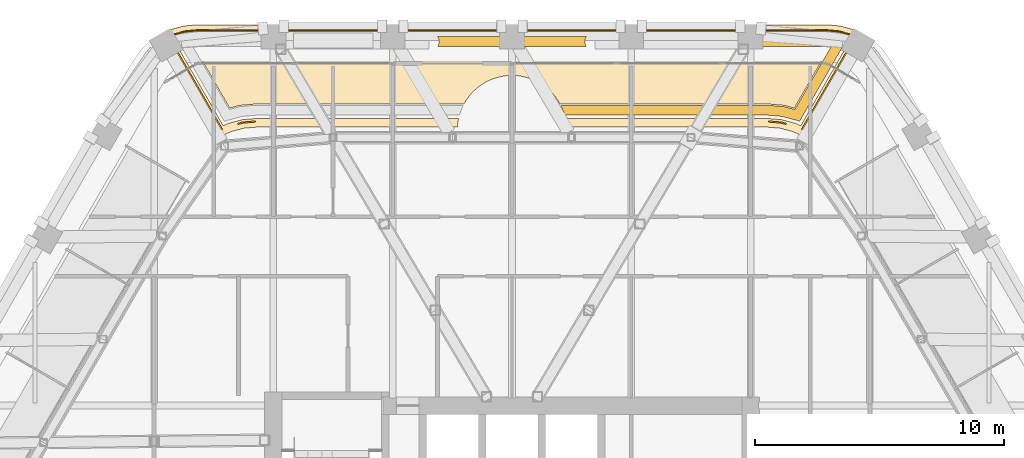
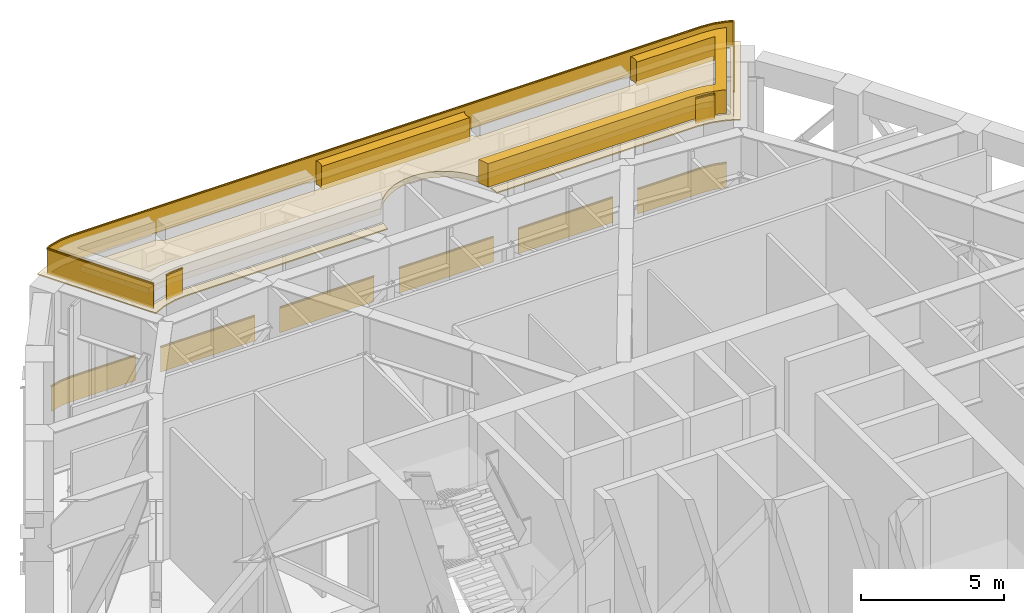
# One storey, part 24 of 24: 4 coverings, 2 railings.
"""IFC4 building model written with IfcOpenShell, lengths in metres."""

from ifc_helpers import new_model, si_unit, direction, frame, frame_2d, origin, origin_2d, place, context, subcontext, project, spatial, polyline, rectangle, outline, extrude, material, layer, layer_set, type_object, element, save


model = new_model("IFC4")

# Units and contexts
model_context = context("Model", 3, precision=1e-05, world=origin(), true_north=direction((0.0, 1.0)))
body_context = subcontext(model_context, "Body", "Model", "MODEL_VIEW")
ifc_project = project(units=[si_unit("LENGTHUNIT", "METRE"), si_unit("AREAUNIT", "SQUARE_METRE"), si_unit("VOLUMEUNIT", "CUBIC_METRE"), si_unit("PLANEANGLEUNIT", "RADIAN"), si_unit("MASSUNIT", "GRAM", prefix="KILO")], contexts=[model_context])

# Site, building, storey
site_placement = place(None, origin())
site = spatial("IfcSite", under=ifc_project, at=site_placement, CompositionType="ELEMENT")
building_placement = place(site_placement, origin())
building = spatial("IfcBuilding", under=site, at=building_placement, Name="Kolab Exchange Tower", CompositionType="ELEMENT")
storey_placement = place(building_placement, frame((0.0, 0.0, 216.800048828125)))
storey = spatial("IfcBuildingStorey", under=building, at=storey_placement, Name="L47", CompositionType="ELEMENT", Elevation=216.800048828125)

# Railings
ifc_material_1 = material(Name="Steel S235", Category="steel")
railing_type = type_object("IfcRailingType", Name="GUARD 1100 GLASS BALUSTRADE AND STEEL TOP RAIL", PredefinedType="GUARDRAIL", material=ifc_material_1)
railing_1_placement = place(storey_placement, frame((13.588623046875, 24.531005859375, 0.0)))
element("IfcRailing", 1, at=railing_1_placement, inside=storey, type_object=railing_type, Name="Guard", PredefinedType="GUARDRAIL", context=body_context, shape_type="SweptSolid", body=[
    extrude(rectangle(XDim=0.05, YDim=0.05, at=origin_2d()), frame((0.0, 0.0, 1.0751953125), z_axis=(-0.965969425465, 0.25865627591, 0.0), x_axis=(-0.25865627591, -0.965969425465, 0.0)), (0.0, 0.0, 1.0), 0.458740234375),
    extrude(rectangle(XDim=0.012, YDim=1.05009765625, at=frame_2d((0.0, 0.525146484375))), frame((0.0, 0.0, 0.0), z_axis=(-0.965969425465, 0.25865627591, 0.0), x_axis=(-0.25865627591, -0.965969425465, 0.0)), (0.0, 0.0, 1.0), 0.458740234375),
    extrude(rectangle(XDim=0.05, YDim=0.05, at=origin_2d()), frame((-0.443115234375, 0.11865234375, 1.0751953125), z_axis=(-0.996156034798, 0.087596542937, 0.0), x_axis=(-0.087596542937, -0.996156034798, 0.0)), (0.0, 0.0, 1.0), 0.4794921875),
    extrude(rectangle(XDim=0.012, YDim=1.05009765625, at=frame_2d((0.0, 0.525146484375))), frame((-0.443115234375, 0.11865234375, 0.0), z_axis=(-0.996156034798, 0.087596542937, 0.0), x_axis=(-0.087596542937, -0.996156034798, 0.0)), (0.0, 0.0, 1.0), 0.4794921875),
    extrude(rectangle(XDim=0.05, YDim=0.05, at=origin_2d()), frame((-0.920654296875, 0.16064453125, 1.0751953125), z_axis=(-1.0, 0.0, 0.0), x_axis=(0.0, -1.0, 0.0)), (0.0, 0.0, 1.0), 2.56787109375),
    extrude(rectangle(XDim=0.012, YDim=1.05009765625, at=frame_2d((0.0, 0.525146484375))), frame((-0.920654296875, 0.16064453125, 0.0), z_axis=(-1.0, 0.0, 0.0), x_axis=(0.0, -1.0, 0.0)), (0.0, 0.0, 1.0), 2.56787109375),
    extrude(rectangle(XDim=0.05, YDim=0.05, at=origin_2d()), frame((-4.488525390625, 0.16064453125, 1.0751953125), z_axis=(-1.0, 0.0, 0.0), x_axis=(0.0, -1.0, 0.0)), (0.0, 0.0, 1.0), 3.800048828125),
    extrude(rectangle(XDim=0.012, YDim=1.05009765625, at=frame_2d((0.0, 0.525146484375))), frame((-4.488525390625, 0.16064453125, 0.0), z_axis=(-1.0, 0.0, 0.0), x_axis=(0.0, -1.0, 0.0)), (0.0, 0.0, 1.0), 3.800048828125),
    extrude(rectangle(XDim=0.05, YDim=0.05, at=origin_2d()), frame((-9.28857421875, 0.16064453125, 1.0751953125), z_axis=(-1.0, 0.0, 0.0), x_axis=(0.0, -1.0, 0.0)), (0.0, 0.0, 1.0), 3.800048828125),
    extrude(rectangle(XDim=0.012, YDim=1.05009765625, at=frame_2d((0.0, 0.525146484375))), frame((-9.28857421875, 0.16064453125, 0.0), z_axis=(-1.0, 0.0, 0.0), x_axis=(0.0, -1.0, 0.0)), (0.0, 0.0, 1.0), 3.800048828125),
    extrude(rectangle(XDim=0.05, YDim=0.05, at=origin_2d()), frame((-14.088623046875, 0.16064453125, 1.0751953125), z_axis=(-1.0, 0.0, 0.0), x_axis=(0.0, -1.0, 0.0)), (0.0, 0.0, 1.0), 3.800048828125),
    extrude(rectangle(XDim=0.012, YDim=1.05009765625, at=frame_2d((0.0, 0.525146484375))), frame((-14.088623046875, 0.16064453125, 0.0), z_axis=(-1.0, 0.0, 0.0), x_axis=(0.0, -1.0, 0.0)), (0.0, 0.0, 1.0), 3.800048828125),
    extrude(rectangle(XDim=0.05, YDim=0.05, at=origin_2d()), frame((-18.888671875, 0.16064453125, 1.0751953125), z_axis=(-1.0, 0.0, 0.0), x_axis=(0.0, -1.0, 0.0)), (0.0, 0.0, 1.0), 3.800048828125),
    extrude(rectangle(XDim=0.012, YDim=1.05009765625, at=frame_2d((0.0, 0.525146484375))), frame((-18.888671875, 0.16064453125, 0.0), z_axis=(-1.0, 0.0, 0.0), x_axis=(0.0, -1.0, 0.0)), (0.0, 0.0, 1.0), 3.800048828125),
    extrude(rectangle(XDim=0.05, YDim=0.05, at=origin_2d()), frame((-23.688720703125, 0.16064453125, 1.0751953125), z_axis=(-1.0, 0.0, 0.0), x_axis=(0.0, -1.0, 0.0)), (0.0, 0.0, 1.0), 2.56787109375),
    extrude(rectangle(XDim=0.012, YDim=1.05009765625, at=frame_2d((0.0, 0.525146484375))), frame((-23.688720703125, 0.16064453125, 0.0), z_axis=(-1.0, 0.0, 0.0), x_axis=(0.0, -1.0, 0.0)), (0.0, 0.0, 1.0), 2.56787109375),
    extrude(rectangle(XDim=0.05, YDim=0.05, at=origin_2d()), frame((-26.256591796875, 0.16064453125, 1.0751953125), z_axis=(-0.996156034798, -0.087596542937, 0.0), x_axis=(0.087596542937, -0.996156034798, 0.0)), (0.0, 0.0, 1.0), 0.4794921875),
    extrude(rectangle(XDim=0.012, YDim=1.05009765625, at=frame_2d((0.0, 0.525146484375))), frame((-26.256591796875, 0.16064453125, 0.0), z_axis=(-0.996156034798, -0.087596542937, 0.0), x_axis=(0.087596542937, -0.996156034798, 0.0)), (0.0, 0.0, 1.0), 0.4794921875),
    extrude(rectangle(XDim=0.05, YDim=0.05, at=origin_2d()), frame((-26.734130859375, 0.11865234375, 1.0751953125), z_axis=(-0.965969425465, -0.25865627591, 0.0), x_axis=(0.25865627591, -0.965969425465, 0.0)), (0.0, 0.0, 1.0), 0.458740234375),
    extrude(rectangle(XDim=0.012, YDim=1.05009765625, at=frame_2d((0.0, 0.525146484375))), frame((-26.734130859375, 0.11865234375, 0.0), z_axis=(-0.965969425465, -0.25865627591, 0.0), x_axis=(0.25865627591, -0.965969425465, 0.0)), (0.0, 0.0, 1.0), 0.458740234375),
])
railing_2_placement = place(storey_placement, frame((-13.81494140625, 24.42822265625, 6.0)))
element("IfcRailing", 2, at=railing_2_placement, inside=storey, type_object=railing_type, Name="Ledge guard", PredefinedType="GUARDRAIL", context=body_context, shape_type="SweptSolid", body=[
    extrude(rectangle(XDim=0.05, YDim=0.05, at=origin_2d()), frame((24.849365234375, -3.49609375, 1.0751953125), z_axis=(-0.966099081396, 0.258171580397, 0.0), x_axis=(-0.258171580397, -0.966099081396, 0.0)), (0.0, 0.0, 1.0), 0.208984375),
    extrude(rectangle(XDim=0.012, YDim=1.05009765625, at=frame_2d((0.0, 0.525146484375))), frame((24.849365234375, -3.49609375, 0.0), z_axis=(-0.966099081396, 0.258171580397, 0.0), x_axis=(-0.258171580397, -0.966099081396, 0.0)), (0.0, 0.0, 1.0), 0.208984375),
    extrude(rectangle(XDim=0.05, YDim=0.05, at=origin_2d()), frame((24.6474609375, -3.442138671875, 1.0751953125), z_axis=(-0.996188542045, 0.087226078083, 0.0), x_axis=(-0.087226078083, -0.996188542045, 0.0)), (0.0, 0.0, 1.0), 0.51220703125),
    extrude(rectangle(XDim=0.012, YDim=1.05009765625, at=frame_2d((0.0, 0.525146484375))), frame((24.6474609375, -3.442138671875, 0.0), z_axis=(-0.996188542045, 0.087226078083, 0.0), x_axis=(-0.087226078083, -0.996188542045, 0.0)), (0.0, 0.0, 1.0), 0.51220703125),
    extrude(rectangle(XDim=0.05, YDim=0.05, at=origin_2d()), frame((3.49267578125, -3.3974609375, 1.0751953125), z_axis=(-0.996188542045, -0.087226078083, 0.0), x_axis=(0.087226078083, -0.996188542045, 0.0)), (0.0, 0.0, 1.0), 0.51220703125),
    extrude(rectangle(XDim=0.012, YDim=1.05009765625, at=frame_2d((0.0, 0.525146484375))), frame((3.49267578125, -3.3974609375, 0.0), z_axis=(-0.996188542045, -0.087226078083, 0.0), x_axis=(0.087226078083, -0.996188542045, 0.0)), (0.0, 0.0, 1.0), 0.51220703125),
    extrude(rectangle(XDim=0.05, YDim=0.05, at=origin_2d()), frame((2.982421875, -3.442138671875, 1.0751953125), z_axis=(-0.966099081396, -0.258171580397, 0.0), x_axis=(0.258171580397, -0.966099081396, 0.0)), (0.0, 0.0, 1.0), 0.208984375),
    extrude(rectangle(XDim=0.012, YDim=1.05009765625, at=frame_2d((0.0, 0.525146484375))), frame((2.982421875, -3.442138671875, 0.0), z_axis=(-0.966099081396, -0.258171580397, 0.0), x_axis=(0.258171580397, -0.966099081396, 0.0)), (0.0, 0.0, 1.0), 0.208984375),
    extrude(rectangle(XDim=0.05, YDim=0.05, at=origin_2d()), frame((2.14892578125, -3.72216796875, 1.0751953125), z_axis=(-0.499987977232, 0.866032345022, 0.0), x_axis=(-0.866032345022, -0.499987977232, 0.0)), (0.0, 0.0, 1.0), 4.2978515625),
    extrude(rectangle(XDim=0.012, YDim=1.05009765625, at=frame_2d((0.0, 0.525146484375))), frame((2.14892578125, -3.72216796875, 0.0), z_axis=(-0.499987977232, 0.866032345022, 0.0), x_axis=(-0.866032345022, -0.499987977232, 0.0)), (0.0, 0.0, 1.0), 4.2978515625),
    extrude(rectangle(XDim=0.05, YDim=0.05, at=origin_2d()), frame((0.0, 0.0, 1.0751953125), z_axis=(0.905882352941, 0.423529411765, 0.0), x_axis=(-0.423529411765, 0.905882352941, 0.0)), (0.0, 0.0, 1.0), 0.228271484375),
    extrude(rectangle(XDim=0.012, YDim=1.05009765625, at=frame_2d((0.0, 0.525146484375))), frame((0.0, 0.0, 0.0), z_axis=(0.905882352941, 0.423529411765, 0.0), x_axis=(-0.423529411765, 0.905882352941, 0.0)), (0.0, 0.0, 1.0), 0.228271484375),
    extrude(rectangle(XDim=0.05, YDim=0.05, at=origin_2d()), frame((0.206787109375, 0.0966796875, 1.0751953125), z_axis=(0.965929859648, 0.258803991931, 0.0), x_axis=(-0.258803991931, 0.965929859648, 0.0)), (0.0, 0.0, 1.0), 0.479248046875),
    extrude(rectangle(XDim=0.012, YDim=1.05009765625, at=frame_2d((0.0, 0.525146484375))), frame((0.206787109375, 0.0966796875, 0.0), z_axis=(0.965929859648, 0.258803991931, 0.0), x_axis=(-0.258803991931, 0.965929859648, 0.0)), (0.0, 0.0, 1.0), 0.479248046875),
    extrude(rectangle(XDim=0.05, YDim=0.05, at=origin_2d()), frame((0.669677734375, 0.220703125, 1.0751953125), z_axis=(0.996193717496, 0.087166950281, 0.0), x_axis=(-0.087166950281, 0.996193717496, 0.0)), (0.0, 0.0, 1.0), 0.490234375),
    extrude(rectangle(XDim=0.012, YDim=1.05009765625, at=frame_2d((0.0, 0.525146484375))), frame((0.669677734375, 0.220703125, 0.0), z_axis=(0.996193717496, 0.087166950281, 0.0), x_axis=(-0.087166950281, 0.996193717496, 0.0)), (0.0, 0.0, 1.0), 0.490234375),
    extrude(rectangle(XDim=0.05, YDim=0.05, at=origin_2d()), frame((1.157958984375, 0.263427734375, 1.0751953125), z_axis=(1.0, 0.0, 0.0), x_axis=(0.0, 1.0, 0.0)), (0.0, 0.0, 1.0), 25.31396484375),
    extrude(rectangle(XDim=0.012, YDim=1.05009765625, at=frame_2d((0.0, 0.525146484375))), frame((1.157958984375, 0.263427734375, 0.0), z_axis=(1.0, 0.0, 0.0), x_axis=(0.0, 1.0, 0.0)), (0.0, 0.0, 1.0), 25.31396484375),
    extrude(rectangle(XDim=0.05, YDim=0.05, at=origin_2d()), frame((26.471923828125, 0.263427734375, 1.0751953125), z_axis=(0.996193717496, -0.087166950281, 0.0), x_axis=(0.087166950281, 0.996193717496, 0.0)), (0.0, 0.0, 1.0), 0.490234375),
    extrude(rectangle(XDim=0.012, YDim=1.05009765625, at=frame_2d((0.0, 0.525146484375))), frame((26.471923828125, 0.263427734375, 0.0), z_axis=(0.996193717496, -0.087166950281, 0.0), x_axis=(0.087166950281, 0.996193717496, 0.0)), (0.0, 0.0, 1.0), 0.490234375),
    extrude(rectangle(XDim=0.05, YDim=0.05, at=origin_2d()), frame((26.960205078125, 0.220703125, 1.0751953125), z_axis=(0.965929859648, -0.258803991931, 0.0), x_axis=(0.258803991931, 0.965929859648, 0.0)), (0.0, 0.0, 1.0), 0.479248046875),
    extrude(rectangle(XDim=0.012, YDim=1.05009765625, at=frame_2d((0.0, 0.525146484375))), frame((26.960205078125, 0.220703125, 0.0), z_axis=(0.965929859648, -0.258803991931, 0.0), x_axis=(0.258803991931, 0.965929859648, 0.0)), (0.0, 0.0, 1.0), 0.479248046875),
    extrude(rectangle(XDim=0.05, YDim=0.05, at=origin_2d()), frame((27.423095703125, 0.0966796875, 1.0751953125), z_axis=(0.905882352941, -0.423529411765, 0.0), x_axis=(0.423529411765, 0.905882352941, 0.0)), (0.0, 0.0, 1.0), 0.228271484375),
    extrude(rectangle(XDim=0.012, YDim=1.05009765625, at=frame_2d((0.0, 0.525146484375))), frame((27.423095703125, 0.0966796875, 0.0), z_axis=(0.905882352941, -0.423529411765, 0.0), x_axis=(0.423529411765, 0.905882352941, 0.0)), (0.0, 0.0, 1.0), 0.228271484375),
    extrude(rectangle(XDim=0.05, YDim=0.05, at=origin_2d()), frame((27.6298828125, 0.0, 1.0751953125), z_axis=(-0.499987977232, -0.866032345022, 0.0), x_axis=(0.866032345022, -0.499987977232, 0.0)), (0.0, 0.0, 1.0), 4.2978515625),
    extrude(rectangle(XDim=0.012, YDim=1.05009765625, at=frame_2d((0.0, 0.525146484375))), frame((27.6298828125, 0.0, 0.0), z_axis=(-0.499987977232, -0.866032345022, 0.0), x_axis=(0.866032345022, -0.499987977232, 0.0)), (0.0, 0.0, 1.0), 4.2978515625),
])

# Coverings
ifc_material_2 = material(Name="Planting soil and turf", Category="soil")
ifc_layer_1 = layer(ifc_material_2, 0.25)
ifc_layer_set_1 = layer_set([ifc_layer_1], Name="Planting soil and turf")
covering_type_1 = type_object("IfcCoveringType", Name="PLANTING SOIL AND TURF 250", PredefinedType="USERDEFINED", material=ifc_layer_set_1)
covering_1_placement = place(storey_placement, frame((0.0, 0.0, 6.0)))
element("IfcCovering", 3, at=covering_1_placement, inside=storey, type_object=covering_type_1, Name="Planting soil and turf", ObjectType="PLANTING", PredefinedType="USERDEFINED", context=body_context, shape_type="SweptSolid", body=[
    extrude(outline(polyline([(-12.62646484375, 23.991455078125), (-9.64599609375, 23.991455078125), (-9.64306640625, 23.98779296875), (-9.61669921875, 23.958740234375), (-9.587646484375, 23.932373046875), (-9.55615234375, 23.908935546875), (-9.5224609375, 23.888671875), (-9.487060546875, 23.8720703125), (-9.4501953125, 23.858642578125), (-9.412109375, 23.84912109375), (-9.373291015625, 23.843505859375), (-9.333984375, 23.841552734375), (-3.333984375, 23.841552734375), (-3.294677734375, 23.843505859375), (-3.255859375, 23.84912109375), (-3.2177734375, 23.858642578125), (-3.180908203125, 23.8720703125), (-3.1455078125, 23.888671875), (-3.11181640625, 23.908935546875), (-3.080322265625, 23.932373046875), (-3.051025390625, 23.958740234375), (-3.024658203125, 23.98779296875), (-3.02197265625, 23.991455078125), (3.02197265625, 23.991455078125), (3.024658203125, 23.98779296875), (3.051025390625, 23.958740234375), (3.080322265625, 23.932373046875), (3.11181640625, 23.908935546875), (3.1455078125, 23.888671875), (3.180908203125, 23.8720703125), (3.2177734375, 23.858642578125), (3.255859375, 23.84912109375), (3.294677734375, 23.843505859375), (3.333984375, 23.841552734375), (9.333984375, 23.841552734375), (9.373291015625, 23.843505859375), (9.412109375, 23.84912109375), (9.4501953125, 23.858642578125), (9.487060546875, 23.8720703125), (9.5224609375, 23.888671875), (9.55615234375, 23.908935546875), (9.587646484375, 23.932373046875), (9.61669921875, 23.958740234375), (9.64306640625, 23.98779296875), (9.64599609375, 23.991455078125), (12.62646484375, 23.991455078125), (12.748291015625, 23.98095703125), (11.356689453125, 21.5703125), (10.95458984375, 21.67822265625), (10.309326171875, 21.734619140625), (1.932373046875, 21.734619140625), (1.829345703125, 21.906982421875), (1.70068359375, 22.080322265625), (1.5556640625, 22.240234375), (1.395751953125, 22.38525390625), (1.22216796875, 22.513916015625), (1.037109375, 22.624755859375), (0.841796875, 22.717041015625), (0.638671875, 22.789794921875), (0.42919921875, 22.84228515625), (0.215576171875, 22.8740234375), (0.0, 22.884521484375), (-0.215576171875, 22.8740234375), (-0.42919921875, 22.84228515625), (-0.638671875, 22.789794921875), (-0.841796875, 22.717041015625), (-1.037109375, 22.624755859375), (-1.22216796875, 22.513916015625), (-1.395751953125, 22.38525390625), (-1.5556640625, 22.240234375), (-1.70068359375, 22.080322265625), (-1.829345703125, 21.906982421875), (-1.932373046875, 21.734619140625), (-10.309326171875, 21.734619140625), (-10.95458984375, 21.67822265625), (-11.356689453125, 21.5703125), (-12.748291015625, 23.98095703125), (-12.62646484375, 23.991455078125)])), origin(), (0.0, 0.0, 1.0), 0.25),
])
ifc_material_3 = material(Name="Limestone coping", Category="masonry")
ifc_layer_2 = layer(ifc_material_3, 0.050048828125)
ifc_layer_set_2 = layer_set([ifc_layer_2], Name="Limestone coping")
covering_type_2 = type_object("IfcCoveringType", Name="TERRACE EDGE BAND LIMESTONE 50", PredefinedType="CLADDING", material=ifc_layer_set_2)
covering_2_placement = place(storey_placement, frame((0.0, 0.0, 6.0)))
element("IfcCovering", 4, at=covering_2_placement, inside=storey, type_object=covering_type_2, Name="Terrace edge band", PredefinedType="CLADDING", context=body_context, shape_type="SweptSolid", body=[
    extrude(outline(polyline([(-13.185302734375, 24.876220703125), (-12.6669921875, 24.921630859375), (12.6669921875, 24.921630859375), (13.185302734375, 24.876220703125), (13.687255859375, 24.74169921875), (14.1396484375, 24.53076171875), (11.759765625, 20.408447265625), (11.30078125, 20.62255859375), (10.79248046875, 20.7587890625), (10.268798828125, 20.8046875), (2.194091796875, 20.8046875), (2.189453125, 20.900146484375), (2.15771484375, 21.11376953125), (2.1474609375, 21.154541015625), (10.2841796875, 21.154541015625), (10.853271484375, 21.104736328125), (11.421142578125, 20.95263671875), (11.616943359375, 20.861328125), (13.6455078125, 24.375), (13.56689453125, 24.41162109375), (13.12451171875, 24.5302734375), (12.65185546875, 24.571533203125), (9.5595703125, 24.571533203125), (9.55615234375, 24.57421875), (9.5224609375, 24.59423828125), (9.487060546875, 24.611083984375), (9.4501953125, 24.624267578125), (9.412109375, 24.6337890625), (9.373291015625, 24.6396484375), (9.333984375, 24.6416015625), (3.333984375, 24.6416015625), (3.294677734375, 24.6396484375), (3.255859375, 24.6337890625), (3.2177734375, 24.624267578125), (3.180908203125, 24.611083984375), (3.1455078125, 24.59423828125), (3.11181640625, 24.57421875), (3.108154296875, 24.571533203125), (-3.108154296875, 24.571533203125), (-3.11181640625, 24.57421875), (-3.1455078125, 24.59423828125), (-3.180908203125, 24.611083984375), (-3.2177734375, 24.624267578125), (-3.255859375, 24.6337890625), (-3.294677734375, 24.6396484375), (-3.333984375, 24.6416015625), (-9.333984375, 24.6416015625), (-9.373291015625, 24.6396484375), (-9.412109375, 24.6337890625), (-9.4501953125, 24.624267578125), (-9.487060546875, 24.611083984375), (-9.5224609375, 24.59423828125), (-9.55615234375, 24.57421875), (-9.5595703125, 24.571533203125), (-12.65185546875, 24.571533203125), (-13.12451171875, 24.5302734375), (-13.56689453125, 24.41162109375), (-13.6455078125, 24.375), (-11.616943359375, 20.861328125), (-11.421142578125, 20.95263671875), (-10.853271484375, 21.104736328125), (-10.2841796875, 21.154541015625), (-2.1474609375, 21.154541015625), (-2.15771484375, 21.11376953125), (-2.189453125, 20.900146484375), (-2.194091796875, 20.8046875), (-10.268798828125, 20.8046875), (-10.79248046875, 20.7587890625), (-11.30078125, 20.62255859375), (-11.759765625, 20.408447265625), (-14.1396484375, 24.53076171875), (-13.687255859375, 24.74169921875), (-13.185302734375, 24.876220703125)])), origin(), (0.0, 0.0, 1.0), 0.050048828125),
])
ifc_material_4 = material(Name="Terrace hedge planting", Category="soil")
ifc_layer_3 = layer(ifc_material_4, 1.0)
ifc_layer_set_3 = layer_set([ifc_layer_3], Name="Terrace hedge planting")
covering_type_3 = type_object("IfcCoveringType", Name="TERRACE HEDGE 1000 X 400", PredefinedType="USERDEFINED", material=ifc_layer_set_3)
covering_3_placement = place(storey_placement, frame((0.0, 0.0, 6.0)))
element("IfcCovering", 5, at=covering_3_placement, inside=storey, type_object=covering_type_3, Name="Terrace hedge", ObjectType="PLANTING", PredefinedType="USERDEFINED", context=body_context, shape_type="SweptSolid", body=[
    extrude(outline(polyline([(2.988037109375, 24.441650390625), (2.981201171875, 24.43017578125), (2.96435546875, 24.39453125), (2.951171875, 24.357666015625), (2.941650390625, 24.319580078125), (2.935791015625, 24.28076171875), (2.93408203125, 24.241455078125), (2.935791015625, 24.202392578125), (2.941650390625, 24.16357421875), (2.951171875, 24.12548828125), (2.96435546875, 24.08837890625), (2.981201171875, 24.052978515625), (2.988037109375, 24.04150390625), (-2.988037109375, 24.04150390625), (-2.981201171875, 24.052978515625), (-2.96435546875, 24.08837890625), (-2.951171875, 24.12548828125), (-2.941650390625, 24.16357421875), (-2.935791015625, 24.202392578125), (-2.93408203125, 24.241455078125), (-2.935791015625, 24.28076171875), (-2.941650390625, 24.319580078125), (-2.951171875, 24.357666015625), (-2.96435546875, 24.39453125), (-2.981201171875, 24.43017578125), (-2.988037109375, 24.441650390625), (2.988037109375, 24.441650390625)])), origin(), (0.0, 0.0, 1.0), 1.0),
])
covering_4_placement = place(storey_placement, frame((0.0, 0.0, 6.0)))
element("IfcCovering", 6, at=covering_4_placement, inside=storey, type_object=covering_type_3, Name="Terrace hedge", ObjectType="PLANTING", PredefinedType="USERDEFINED", context=body_context, shape_type="SweptSolid", body=[
    extrude(outline(polyline([(12.64599609375, 24.441650390625), (13.101806640625, 24.401611328125), (13.4560546875, 24.306640625), (11.56396484375, 21.029541015625), (11.465576171875, 21.075439453125), (10.8759765625, 21.2333984375), (10.289794921875, 21.28466796875), (2.114990234375, 21.28466796875), (2.105224609375, 21.3232421875), (2.032470703125, 21.526611328125), (1.957763671875, 21.6845703125), (10.30712890625, 21.6845703125), (10.94580078125, 21.628662109375), (11.380859375, 21.51220703125), (12.8310546875, 24.02392578125), (12.628662109375, 24.04150390625), (9.679931640625, 24.04150390625), (9.686767578125, 24.052978515625), (9.70361328125, 24.08837890625), (9.716796875, 24.12548828125), (9.726318359375, 24.16357421875), (9.73193359375, 24.202392578125), (9.73388671875, 24.241455078125), (9.73193359375, 24.28076171875), (9.726318359375, 24.319580078125), (9.716796875, 24.357666015625), (9.70361328125, 24.39453125), (9.686767578125, 24.43017578125), (9.679931640625, 24.441650390625), (12.64599609375, 24.441650390625)])), origin(), (0.0, 0.0, 1.0), 1.0),
])

save(model, "model.ifc")
